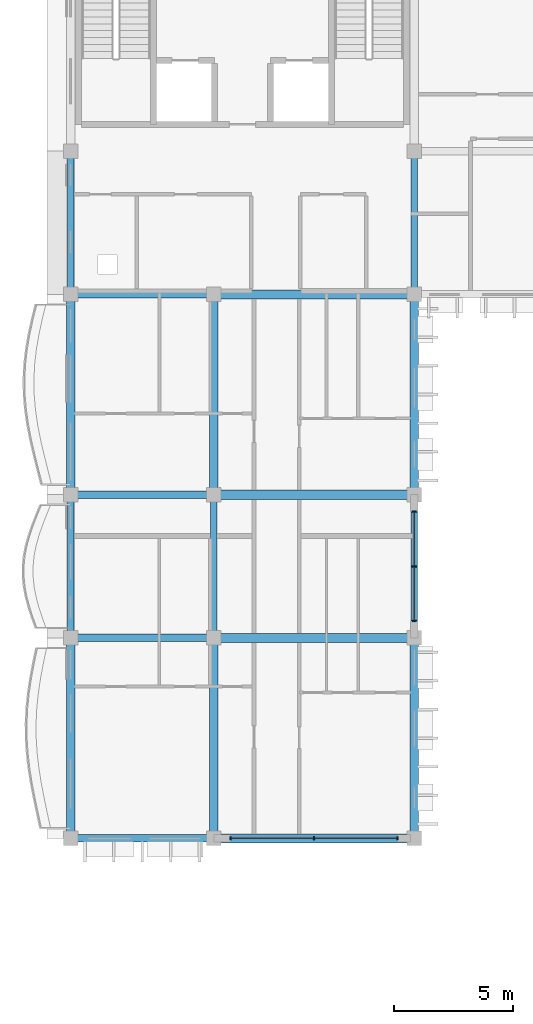
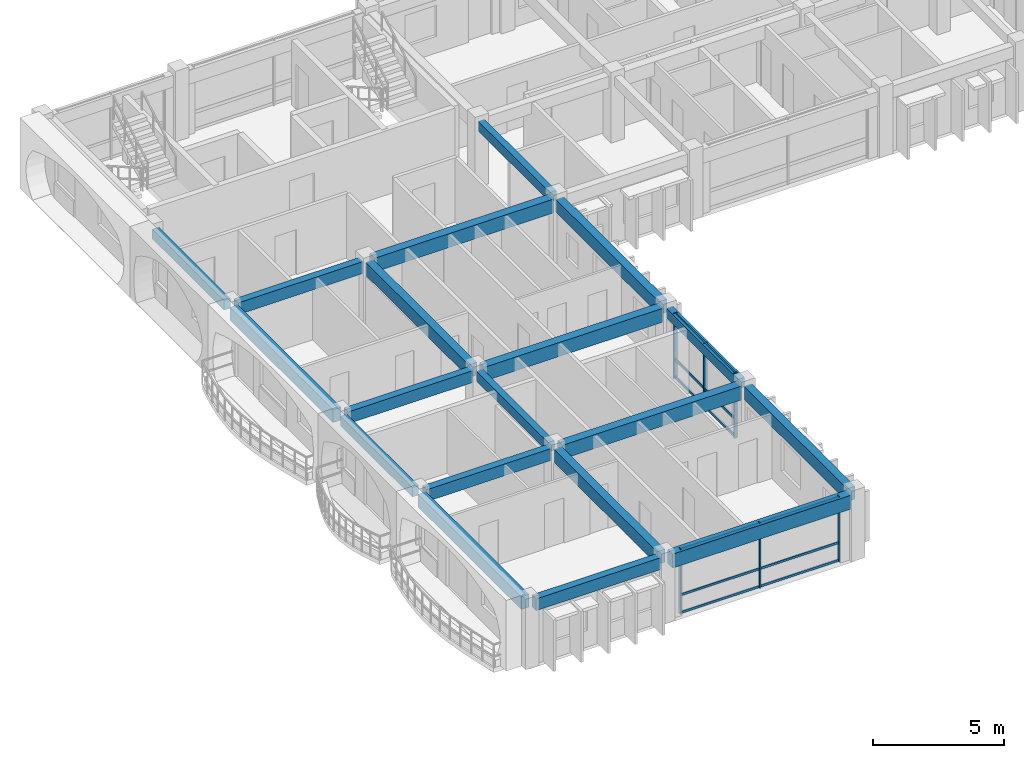
# One storey, part 8 of 68: 19 beams, 12 members, 2 elements without a shape of their own.
"""IFC4 building model written with IfcOpenShell, lengths in metres."""

from ifc_helpers import new_model, si_unit, direction, frame, origin, origin_2d, place, context, subcontext, project, spatial, rectangle, extrude, material, material_profile, profile_set, type_object, element, aggregate, save


model = new_model("IFC4")

# Units and contexts
model_context = context("Model", 3, precision=1e-05, world=origin(), true_north=direction((0.0, 1.0)))
body_context = subcontext(model_context, "Body", "Model", "MODEL_VIEW")
ifc_project = project(units=[si_unit("LENGTHUNIT", "METRE"), si_unit("AREAUNIT", "SQUARE_METRE"), si_unit("VOLUMEUNIT", "CUBIC_METRE"), si_unit("PLANEANGLEUNIT", "RADIAN"), si_unit("MASSUNIT", "GRAM", prefix="KILO"), si_unit("THERMODYNAMICTEMPERATUREUNIT", "KELVIN")], contexts=[model_context])

# Site, building, storey
site_placement = place(None, origin())
site = spatial("IfcSite", under=ifc_project, at=site_placement, CompositionType="ELEMENT")
building_placement = place(site_placement, origin())
building = spatial("IfcBuilding", under=site, at=building_placement, Name="Thalorik Housing Commons", CompositionType="ELEMENT")
storey_placement = place(building_placement, frame((0.0, 0.0, 24.60009765625)))
storey = spatial("IfcBuildingStorey", under=building, at=storey_placement, Name="L07", CompositionType="ELEMENT", Elevation=24.60009765625)

# Curtain wall, members
ifc_material_1 = material(Name="Anodised aluminium and solar-control low-E glass", Category="aluminium")
curtain_wall_type = type_object("IfcCurtainWallType", Name="ARC-CW-LOUNGE", PredefinedType="USERDEFINED", material=ifc_material_1)
curtain_wall_1_placement = place(storey_placement, origin())
curtain_wall_1 = element("IfcCurtainWall", 1, at=curtain_wall_1_placement, inside=storey, type_object=curtain_wall_type, Name="L07 Curtain Wall CW-RES-L07-A-034", ObjectType="CURTAIN WALL", PredefinedType="USERDEFINED")
ifc_material_2 = material(Name="Anodised aluminium 6063-T6", Category="aluminium")
ifc_material_profile_1 = material_profile(ifc_material_2, rectangle(XDim=0.054931640625, YDim=0.139892578125, at=origin_2d()), Name="ALU MUL 55x140", Category="aluminium")
ifc_profile_set_1 = profile_set([ifc_material_profile_1], Name="Anodised aluminium 6063-T6")
member_type_1 = type_object("IfcMemberType", Name="ARC-CW-MUL-55x140", PredefinedType="MULLION", material=ifc_profile_set_1)
member_1_placement = place(storey_placement, frame((15.10009765625, 86.39990234375, 0.0), z_axis=(0.0, 0.0, 1.0), x_axis=(1.0, 0.0, 0.0)))
member_1 = element("IfcMember", 2, at=member_1_placement, type_object=member_type_1, Name="CW-RES-L07-A-034 Mullion 1", PredefinedType="MULLION", context=body_context, shape_type="SweptSolid", body=[
    extrude(rectangle(XDim=0.054931640625, YDim=0.139892578125, at=origin_2d()), origin(), (0.0, 0.0, 1.0), 3.039794921875),
])
member_2_placement = place(storey_placement, frame((18.60009765625, 86.39990234375, 0.0), z_axis=(0.0, 0.0, 1.0), x_axis=(1.0, 0.0, 0.0)))
member_2 = element("IfcMember", 3, at=member_2_placement, type_object=member_type_1, Name="CW-RES-L07-A-034 Mullion 2", PredefinedType="MULLION", context=body_context, shape_type="SweptSolid", body=[
    extrude(rectangle(XDim=0.054931640625, YDim=0.139892578125, at=origin_2d()), origin(), (0.0, 0.0, 1.0), 3.039794921875),
])
member_3_placement = place(storey_placement, frame((22.10009765625, 86.39990234375, 0.0), z_axis=(0.0, 0.0, 1.0), x_axis=(1.0, 0.0, 0.0)))
member_3 = element("IfcMember", 4, at=member_3_placement, type_object=member_type_1, Name="CW-RES-L07-A-034 Mullion 3", PredefinedType="MULLION", context=body_context, shape_type="SweptSolid", body=[
    extrude(rectangle(XDim=0.054931640625, YDim=0.139892578125, at=origin_2d()), origin(), (0.0, 0.0, 1.0), 3.039794921875),
])

curtain_wall_2_placement = place(storey_placement, origin())
curtain_wall_2 = element("IfcCurtainWall", 5, at=curtain_wall_2_placement, inside=storey, type_object=curtain_wall_type, Name="L07 Curtain Wall CW-RES-L07-A-035", ObjectType="CURTAIN WALL", PredefinedType="USERDEFINED")
ifc_material_profile_2 = material_profile(ifc_material_2, rectangle(XDim=0.06005859375, YDim=0.159912109375, at=origin_2d()), Name="ALU MUL 60x160", Category="aluminium")
ifc_profile_set_2 = profile_set([ifc_material_profile_2], Name="Anodised aluminium 6063-T6")
member_type_2 = type_object("IfcMemberType", Name="ARC-CW-MUL-60x160", PredefinedType="MULLION", material=ifc_profile_set_2)
member_4_placement = place(storey_placement, frame((22.800048828125, 95.5, 0.0), z_axis=(0.0, 0.0, 1.0), x_axis=(0.0, 1.0, 0.0)))
member_4 = element("IfcMember", 6, at=member_4_placement, type_object=member_type_2, Name="CW-RES-L07-A-035 Mullion 1", PredefinedType="MULLION", context=body_context, shape_type="SweptSolid", body=[
    extrude(rectangle(XDim=0.06005859375, YDim=0.159912109375, at=origin_2d()), origin(), (0.0, 0.0, 1.0), 3.039794921875),
])
member_5_placement = place(storey_placement, frame((22.800048828125, 97.800048828125, 0.0), z_axis=(0.0, 0.0, 1.0), x_axis=(0.0, 1.0, 0.0)))
member_5 = element("IfcMember", 7, at=member_5_placement, type_object=member_type_2, Name="CW-RES-L07-A-035 Mullion 2", PredefinedType="MULLION", context=body_context, shape_type="SweptSolid", body=[
    extrude(rectangle(XDim=0.06005859375, YDim=0.159912109375, at=origin_2d()), origin(), (0.0, 0.0, 1.0), 3.039794921875),
])
member_6_placement = place(storey_placement, frame((22.800048828125, 100.10009765625, 0.0), z_axis=(0.0, 0.0, 1.0), x_axis=(0.0, 1.0, 0.0)))
member_6 = element("IfcMember", 8, at=member_6_placement, type_object=member_type_2, Name="CW-RES-L07-A-035 Mullion 3", PredefinedType="MULLION", context=body_context, shape_type="SweptSolid", body=[
    extrude(rectangle(XDim=0.06005859375, YDim=0.159912109375, at=origin_2d()), origin(), (0.0, 0.0, 1.0), 3.039794921875),
])

# Member
ifc_material_profile_3 = material_profile(ifc_material_2, rectangle(XDim=0.054931640625, YDim=0.10498046875, at=origin_2d()), Name="ALU TRN 55x105", Category="aluminium")
ifc_profile_set_3 = profile_set([ifc_material_profile_3], Name="Anodised aluminium 6063-T6")
member_type_3 = type_object("IfcMemberType", Name="ARC-CW-TRN-55x105", PredefinedType="USERDEFINED", material=ifc_profile_set_3)
member_7_placement = place(storey_placement, frame((15.10009765625, 86.39990234375, 0.054931640625), z_axis=(1.0, 0.0, 0.0), x_axis=(0.0, 1.0, 0.0)))
member_7 = element("IfcMember", 9, at=member_7_placement, type_object=member_type_3, Name="CW-RES-L07-A-034 Transom 1", ObjectType="TRANSOM", PredefinedType="USERDEFINED", context=body_context, shape_type="SweptSolid", body=[
    extrude(rectangle(XDim=0.054931640625, YDim=0.10498046875, at=origin_2d()), origin(), (0.0, 0.0, 1.0), 7.0),
])

member_8_placement = place(storey_placement, frame((15.10009765625, 86.39990234375, 0.8798828125), z_axis=(1.0, 0.0, 0.0), x_axis=(0.0, 1.0, 0.0)))
member_8 = element("IfcMember", 10, at=member_8_placement, type_object=member_type_3, Name="CW-RES-L07-A-034 Transom 2", ObjectType="TRANSOM", PredefinedType="USERDEFINED", context=body_context, shape_type="SweptSolid", body=[
    extrude(rectangle(XDim=0.054931640625, YDim=0.10498046875, at=origin_2d()), origin(), (0.0, 0.0, 1.0), 7.0),
])

member_9_placement = place(storey_placement, frame((15.10009765625, 86.39990234375, 2.98486328125), z_axis=(1.0, 0.0, 0.0), x_axis=(0.0, 1.0, 0.0)))
member_9 = element("IfcMember", 11, at=member_9_placement, type_object=member_type_3, Name="CW-RES-L07-A-034 Transom 3", ObjectType="TRANSOM", PredefinedType="USERDEFINED", context=body_context, shape_type="SweptSolid", body=[
    extrude(rectangle(XDim=0.054931640625, YDim=0.10498046875, at=origin_2d()), origin(), (0.0, 0.0, 1.0), 7.0),
])

aggregate(curtain_wall_1, [member_1, member_2, member_3, member_7, member_8, member_9])

ifc_material_profile_4 = material_profile(ifc_material_2, rectangle(XDim=0.06005859375, YDim=0.1201171875, at=origin_2d()), Name="ALU TRN 60x120", Category="aluminium")
ifc_profile_set_4 = profile_set([ifc_material_profile_4], Name="Anodised aluminium 6063-T6")
member_type_4 = type_object("IfcMemberType", Name="ARC-CW-TRN-60x120", PredefinedType="USERDEFINED", material=ifc_profile_set_4)
member_10_placement = place(storey_placement, frame((22.800048828125, 95.5, 0.054931640625), z_axis=(0.0, 1.0, 0.0), x_axis=(-1.0, 0.0, 0.0)))
member_10 = element("IfcMember", 12, at=member_10_placement, type_object=member_type_4, Name="CW-RES-L07-A-035 Transom 1", ObjectType="TRANSOM", PredefinedType="USERDEFINED", context=body_context, shape_type="SweptSolid", body=[
    extrude(rectangle(XDim=0.06005859375, YDim=0.1201171875, at=origin_2d()), origin(), (0.0, 0.0, 1.0), 4.60009765625),
])

member_11_placement = place(storey_placement, frame((22.800048828125, 95.5, 0.8798828125), z_axis=(0.0, 1.0, 0.0), x_axis=(-1.0, 0.0, 0.0)))
member_11 = element("IfcMember", 13, at=member_11_placement, type_object=member_type_4, Name="CW-RES-L07-A-035 Transom 2", ObjectType="TRANSOM", PredefinedType="USERDEFINED", context=body_context, shape_type="SweptSolid", body=[
    extrude(rectangle(XDim=0.06005859375, YDim=0.1201171875, at=origin_2d()), origin(), (0.0, 0.0, 1.0), 4.60009765625),
])

member_12_placement = place(storey_placement, frame((22.800048828125, 95.5, 2.98486328125), z_axis=(0.0, 1.0, 0.0), x_axis=(-1.0, 0.0, 0.0)))
member_12 = element("IfcMember", 14, at=member_12_placement, type_object=member_type_4, Name="CW-RES-L07-A-035 Transom 3", ObjectType="TRANSOM", PredefinedType="USERDEFINED", context=body_context, shape_type="SweptSolid", body=[
    extrude(rectangle(XDim=0.06005859375, YDim=0.1201171875, at=origin_2d()), origin(), (0.0, 0.0, 1.0), 4.60009765625),
])

aggregate(curtain_wall_2, [member_4, member_5, member_6, member_10, member_11, member_12])

# Beams
ifc_material_3 = material(Name="Precast concrete C40/50", Category="concrete")
ifc_material_profile_5 = material_profile(ifc_material_3, rectangle(XDim=0.280029296875, YDim=0.449951171875, at=origin_2d()), Name="PC 280x450", Category="concrete")
ifc_profile_set_5 = profile_set([ifc_material_profile_5], Name="Precast concrete C40/50")
beam_type_1 = type_object("IfcBeamType", Name="STR-BM-PC280x450", PredefinedType="BEAM", material=ifc_profile_set_5)
for number, where, z_axis, x_axis, name in (
    (15, (8.39990234375, 95.050048828125, 2.81494140625), (0.0, 1.0, 0.0), (-1.0, 0.0, 0.0), "L07 Beam B-450"),
    (16, (8.39990234375, 109.449951171875, 2.81494140625), (0.0, 1.0, 0.0), (-1.0, 0.0, 0.0), "L07 Beam B-450"),
    (17, (14.39990234375, 95.050048828125, 2.81494140625), (0.0, 1.0, 0.0), (-1.0, 0.0, 0.0), "L07 Beam B-450"),
    (18, (22.800048828125, 95.050048828125, 2.81494140625), (0.0, 1.0, 0.0), (-1.0, 0.0, 0.0), "L07 Beam B-450"),
    (19, (22.800048828125, 109.449951171875, 2.81494140625), (0.0, 1.0, 0.0), (-1.0, 0.0, 0.0), "L07 Beam B-450"),
):
    element("IfcBeam", number, at=place(storey_placement, frame(where, z_axis=z_axis, x_axis=x_axis)), inside=storey, type_object=beam_type_1, Name=name, PredefinedType="BEAM", context=body_context, shape_type="SweptSolid", body=[
        extrude(rectangle(XDim=0.280029296875, YDim=0.449951171875, at=origin_2d()), origin(), (0.0, 0.0, 1.0), 5.5),
    ])
ifc_material_profile_6 = material_profile(ifc_material_3, rectangle(XDim=0.320068359375, YDim=0.550048828125, at=origin_2d()), Name="PC 320x550", Category="concrete")
ifc_profile_set_6 = profile_set([ifc_material_profile_6], Name="Precast concrete C40/50")
beam_type_2 = type_object("IfcBeamType", Name="STR-BM-PC320x550", PredefinedType="BEAM", material=ifc_profile_set_6)
for number, where, z_axis, x_axis, name in (
    (20, (8.64990234375, 86.39990234375, 2.764892578125), (1.0, 0.0, 0.0), (0.0, 1.0, 0.0), "L07 Beam B-550"),
    (21, (8.64990234375, 94.800048828125, 2.764892578125), (1.0, 0.0, 0.0), (0.0, 1.0, 0.0), "L07 Beam B-550"),
    (22, (8.64990234375, 100.800048828125, 2.764892578125), (1.0, 0.0, 0.0), (0.0, 1.0, 0.0), "L07 Beam B-550"),
    (23, (8.64990234375, 109.199951171875, 2.764892578125), (1.0, 0.0, 0.0), (0.0, 1.0, 0.0), "L07 Beam B-550"),
):
    element("IfcBeam", number, at=place(storey_placement, frame(where, z_axis=z_axis, x_axis=x_axis)), inside=storey, type_object=beam_type_2, Name=name, PredefinedType="BEAM", context=body_context, shape_type="SweptSolid", body=[
        extrude(rectangle(XDim=0.320068359375, YDim=0.550048828125, at=origin_2d()), origin(), (0.0, 0.0, 1.0), 5.5),
    ])
ifc_material_profile_7 = material_profile(ifc_material_3, rectangle(XDim=0.35009765625, YDim=0.60009765625, at=origin_2d()), Name="PC 350x600", Category="concrete")
ifc_profile_set_7 = profile_set([ifc_material_profile_7], Name="Precast concrete C40/50")
beam_type_3 = type_object("IfcBeamType", Name="STR-BM-PC350x600", PredefinedType="BEAM", material=ifc_profile_set_7)
beam_1_placement = place(storey_placement, frame((8.39990234375, 86.64990234375, 2.739990234375), z_axis=(0.0, 1.0, 0.0), x_axis=(-1.0, 0.0, 0.0)))
element("IfcBeam", 24, at=beam_1_placement, inside=storey, type_object=beam_type_3, Name="L07 Beam B-600", PredefinedType="BEAM", context=body_context, shape_type="SweptSolid", body=[
    extrude(rectangle(XDim=0.35009765625, YDim=0.60009765625, at=origin_2d()), origin(), (0.0, 0.0, 1.0), 7.900146484375),
])
beam_2_placement = place(storey_placement, frame((8.39990234375, 101.050048828125, 2.739990234375), z_axis=(0.0, 1.0, 0.0), x_axis=(-1.0, 0.0, 0.0)))
element("IfcBeam", 25, at=beam_2_placement, inside=storey, type_object=beam_type_3, Name="L07 Beam B-600", PredefinedType="BEAM", context=body_context, shape_type="SweptSolid", body=[
    extrude(rectangle(XDim=0.35009765625, YDim=0.60009765625, at=origin_2d()), origin(), (0.0, 0.0, 1.0), 7.89990234375),
])
beam_3_placement = place(storey_placement, frame((14.39990234375, 86.64990234375, 2.739990234375), z_axis=(0.0, 1.0, 0.0), x_axis=(-1.0, 0.0, 0.0)))
element("IfcBeam", 26, at=beam_3_placement, inside=storey, type_object=beam_type_3, Name="L07 Beam B-600", PredefinedType="BEAM", context=body_context, shape_type="SweptSolid", body=[
    extrude(rectangle(XDim=0.35009765625, YDim=0.60009765625, at=origin_2d()), origin(), (0.0, 0.0, 1.0), 7.900146484375),
])
beam_4_placement = place(storey_placement, frame((14.39990234375, 101.050048828125, 2.739990234375), z_axis=(0.0, 1.0, 0.0), x_axis=(-1.0, 0.0, 0.0)))
element("IfcBeam", 27, at=beam_4_placement, inside=storey, type_object=beam_type_3, Name="L07 Beam B-600", PredefinedType="BEAM", context=body_context, shape_type="SweptSolid", body=[
    extrude(rectangle(XDim=0.35009765625, YDim=0.60009765625, at=origin_2d()), origin(), (0.0, 0.0, 1.0), 7.89990234375),
])
beam_5_placement = place(storey_placement, frame((22.800048828125, 86.64990234375, 2.739990234375), z_axis=(0.0, 1.0, 0.0), x_axis=(-1.0, 0.0, 0.0)))
element("IfcBeam", 28, at=beam_5_placement, inside=storey, type_object=beam_type_3, Name="L07 Beam B-600", PredefinedType="BEAM", context=body_context, shape_type="SweptSolid", body=[
    extrude(rectangle(XDim=0.35009765625, YDim=0.60009765625, at=origin_2d()), origin(), (0.0, 0.0, 1.0), 7.900146484375),
])
beam_6_placement = place(storey_placement, frame((22.800048828125, 101.050048828125, 2.739990234375), z_axis=(0.0, 1.0, 0.0), x_axis=(-1.0, 0.0, 0.0)))
element("IfcBeam", 29, at=beam_6_placement, inside=storey, type_object=beam_type_3, Name="L07 Beam B-600", PredefinedType="BEAM", context=body_context, shape_type="SweptSolid", body=[
    extrude(rectangle(XDim=0.35009765625, YDim=0.60009765625, at=origin_2d()), origin(), (0.0, 0.0, 1.0), 7.89990234375),
])
ifc_material_profile_8 = material_profile(ifc_material_3, rectangle(XDim=0.3798828125, YDim=0.64990234375, at=origin_2d()), Name="PC 380x650", Category="concrete")
ifc_profile_set_8 = profile_set([ifc_material_profile_8], Name="Precast concrete C40/50")
beam_type_4 = type_object("IfcBeamType", Name="STR-BM-PC380x650", PredefinedType="BEAM", material=ifc_profile_set_8)
for number, where, z_axis, x_axis, name in (
    (30, (14.64990234375, 86.39990234375, 2.71484375), (1.0, 0.0, 0.0), (0.0, 1.0, 0.0), "L07 Beam B-650"),
    (31, (14.64990234375, 94.800048828125, 2.71484375), (1.0, 0.0, 0.0), (0.0, 1.0, 0.0), "L07 Beam B-650"),
    (32, (14.64990234375, 100.800048828125, 2.71484375), (1.0, 0.0, 0.0), (0.0, 1.0, 0.0), "L07 Beam B-650"),
    (33, (14.64990234375, 109.199951171875, 2.71484375), (1.0, 0.0, 0.0), (0.0, 1.0, 0.0), "L07 Beam B-650"),
):
    element("IfcBeam", number, at=place(storey_placement, frame(where, z_axis=z_axis, x_axis=x_axis)), inside=storey, type_object=beam_type_4, Name=name, PredefinedType="BEAM", context=body_context, shape_type="SweptSolid", body=[
        extrude(rectangle(XDim=0.3798828125, YDim=0.64990234375, at=origin_2d()), origin(), (0.0, 0.0, 1.0), 7.900146484375),
    ])

save(model, "model.ifc")
